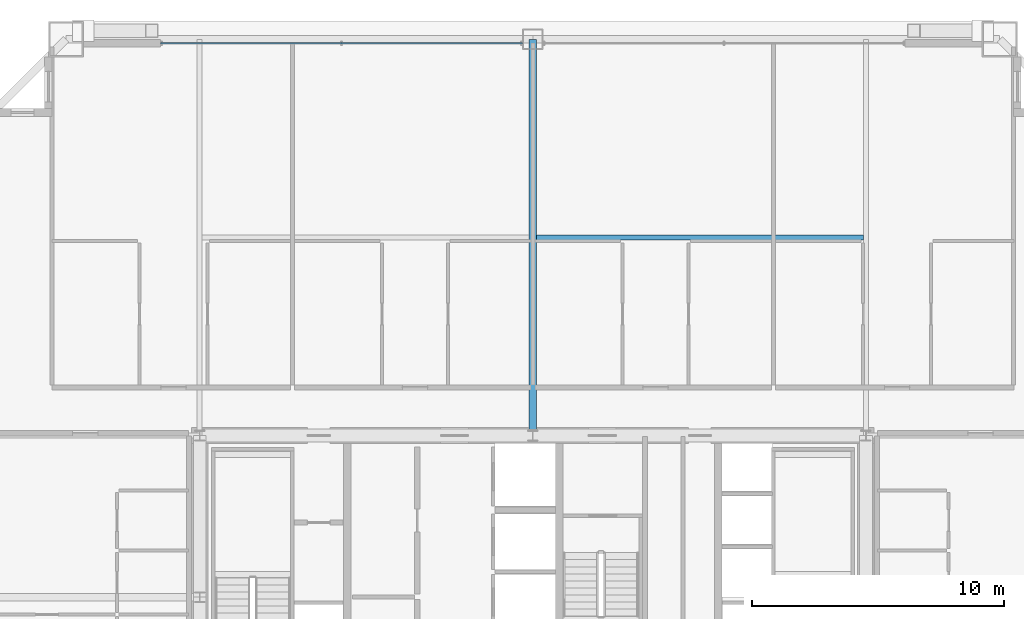
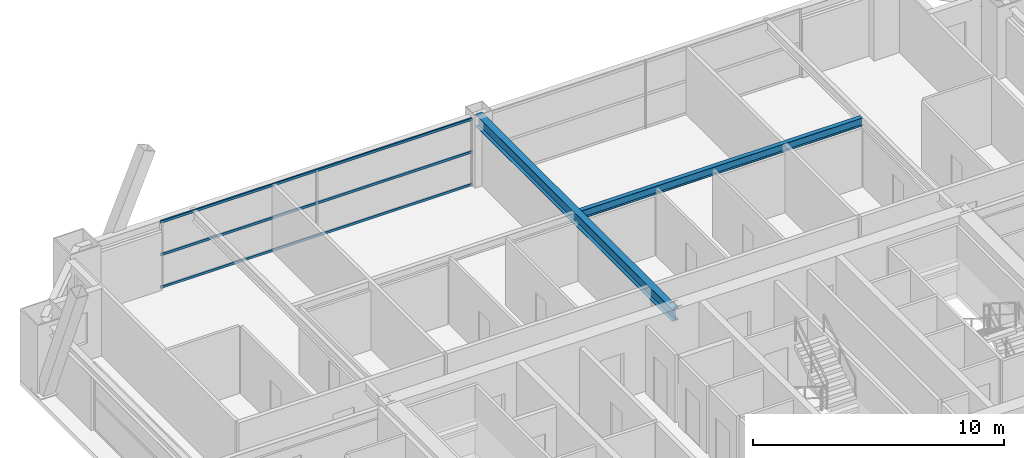
# One storey, part 32 of 42: 3 members, 2 beams, 1 element without a shape of its own.
"""IFC4 building model written with IfcOpenShell, lengths in metres."""

from ifc_helpers import new_model, si_unit, direction, frame, origin, origin_2d, place, context, subcontext, project, spatial, hollow_rectangle, i_section, extrude, source, transform, mapped, material, layer, layer_set, material_profile, profile_set, type_object, element, aggregate, save


model = new_model("IFC4")

# Units and contexts
model_context = context("Model", 3, precision=1e-05, world=origin(), true_north=direction((0.0, 1.0)))
body_context = subcontext(model_context, "Body", "Model", "MODEL_VIEW")
ifc_project = project(units=[si_unit("LENGTHUNIT", "METRE"), si_unit("AREAUNIT", "SQUARE_METRE"), si_unit("VOLUMEUNIT", "CUBIC_METRE"), si_unit("PLANEANGLEUNIT", "RADIAN"), si_unit("MASSUNIT", "GRAM", prefix="KILO"), si_unit("THERMODYNAMICTEMPERATUREUNIT", "KELVIN"), si_unit("POWERUNIT", "WATT")], contexts=[model_context])

# Site, building, storey
site_placement = place(None, origin())
site = spatial("IfcSite", under=ifc_project, at=site_placement, CompositionType="ELEMENT")
building_placement = place(site_placement, origin())
building = spatial("IfcBuilding", under=site, at=building_placement, Name="Yuzanri Waterfront Tower", CompositionType="ELEMENT")
storey_placement = place(building_placement, frame((0.0, 0.0, 184.5)))
storey = spatial("IfcBuildingStorey", under=building, at=storey_placement, Name="L48", CompositionType="ELEMENT", Elevation=184.5)

# Beams
ifc_material_1 = material(Name="Steel Q355B", Category="steel")
ifc_material_profile_1 = material_profile(ifc_material_1, i_section(OverallWidth=0.199951171875, OverallDepth=0.39990234375, WebThickness=0.008056640625, FlangeThickness=0.012939453125, at=origin_2d()), Name="HN 400x200x8x13")
ifc_profile_set_1 = profile_set([ifc_material_profile_1], Name="Steel Q355B")
beam_type_1 = type_object("IfcBeamType", Name="Floor Joist Q355B HN 400x200", PredefinedType="JOIST", material=ifc_profile_set_1)
shared_shape_1 = source(origin(), body_context, "Body", "SweptSolid", [
    extrude(i_section(OverallWidth=0.199951171875, OverallDepth=0.39990234375, WebThickness=0.008056640625, FlangeThickness=0.012939453125, at=origin_2d()), origin(), (0.0, 0.0, 1.0), 12.9501953125),
])
beam_1_placement = place(storey_placement, frame((37.14990234375, 40.050048828125, 3.080078125), z_axis=(1.0, 0.0, 0.0), x_axis=(0.0, 1.0, 0.0)))
element("IfcBeam", 1, at=beam_1_placement, inside=storey, type_object=beam_type_1, Name="L48 North Bay Joist E", PredefinedType="JOIST", context=body_context, shape_type="MappedRepresentation", body=[
    mapped(shared_shape_1, transform((0.0, 0.0, 0.0), scale=1.0)),
])
ifc_material_2 = material(Name="Steel Q355B", Category="steel")
ifc_material_profile_2 = material_profile(ifc_material_2, i_section(OverallWidth=0.300048828125, OverallDepth=0.587890625, WebThickness=0.011962890625, FlangeThickness=0.02001953125, at=origin_2d()), Name="HM 588x300x12x20")
ifc_profile_set_2 = profile_set([ifc_material_profile_2], Name="Steel Q355B")
beam_type_2 = type_object("IfcBeamType", Name="Primary Floor Girder Q355B HM 588x300", PredefinedType="BEAM", material=ifc_profile_set_2)
shared_shape_2 = source(origin(), body_context, "Body", "SweptSolid", [
    extrude(i_section(OverallWidth=0.300048828125, OverallDepth=0.587890625, WebThickness=0.011962890625, FlangeThickness=0.02001953125, at=origin_2d()), origin(), (0.0, 0.0, 1.0), 15.699951171875),
])
beam_2_placement = place(storey_placement, frame((37.0, 32.199951171875, 2.986083984375), z_axis=(0.0, 1.0, 0.0), x_axis=(-1.0, 0.0, 0.0)))
element("IfcBeam", 2, at=beam_2_placement, inside=storey, type_object=beam_type_2, Name="L48 North Grid Girder", PredefinedType="BEAM", context=body_context, shape_type="MappedRepresentation", body=[
    mapped(shared_shape_2, transform((0.0, 0.0, 0.0), scale=1.0)),
])

# Curtain wall, members
ifc_material_3 = material(Name="Anodized Architectural Bronze", Category="metal")
ifc_layer = layer(ifc_material_3, 0.159912109375)
ifc_layer_set = layer_set([ifc_layer], Name="Anodized Architectural Bronze")
curtain_wall_type = type_object("IfcCurtainWallType", Name="Anodized Bronze Mid-Rise Residential Acoustic Unitized Curtain Wall 7200", PredefinedType="NOTDEFINED", material=ifc_layer_set)
curtain_wall_placement = place(storey_placement, origin())
curtain_wall = element("IfcCurtainWall", 3, at=curtain_wall_placement, inside=storey, type_object=curtain_wall_type, Name="L48 Curtain Wall CW-L48-NL", PredefinedType="NOTDEFINED")
ifc_material_4 = material(Name="Anodized Architectural Bronze", Category="metal")
ifc_material_profile_3 = material_profile(ifc_material_4, hollow_rectangle(XDim=0.06494140625, YDim=0.1201171875, WallThickness=0.00341796875, at=origin_2d()), Name="CWT 65x120")
ifc_profile_set_3 = profile_set([ifc_material_profile_3], Name="Anodized Architectural Bronze")
member_type = type_object("IfcMemberType", Name="Anodized Bronze Secondary Curtain-Wall Transom 65x120", PredefinedType="USERDEFINED", material=ifc_profile_set_3)
shared_shape_3 = source(origin(), body_context, "Body", "SweptSolid", [
    extrude(hollow_rectangle(XDim=0.06494140625, YDim=0.1201171875, WallThickness=0.00341796875, at=origin_2d()), origin(), (0.0, 0.0, 1.0), 14.35009765625),
])
member_1_placement = place(storey_placement, frame((22.25, 47.75, 0.050048828125), z_axis=(1.0, 0.0, 0.0), x_axis=(0.0, 1.0, 0.0)))
member_1 = element("IfcMember", 4, at=member_1_placement, type_object=member_type, Name="CW-L48-NL Transom 1", ObjectType="TRANSOM", PredefinedType="USERDEFINED", context=body_context, shape_type="MappedRepresentation", body=[
    mapped(shared_shape_3, transform((0.0, 0.0, 0.0), scale=1.0)),
])
member_2_placement = place(storey_placement, frame((22.25, 47.75, 1.639892578125), z_axis=(1.0, 0.0, 0.0), x_axis=(0.0, 1.0, 0.0)))
member_2 = element("IfcMember", 5, at=member_2_placement, type_object=member_type, Name="CW-L48-NL Transom 2", ObjectType="TRANSOM", PredefinedType="USERDEFINED", context=body_context, shape_type="MappedRepresentation", body=[
    mapped(shared_shape_3, transform((0.0, 0.0, 0.0), scale=1.0)),
])
member_3_placement = place(storey_placement, frame((22.25, 47.75, 3.22998046875), z_axis=(1.0, 0.0, 0.0), x_axis=(0.0, 1.0, 0.0)))
member_3 = element("IfcMember", 6, at=member_3_placement, type_object=member_type, Name="CW-L48-NL Transom 3", ObjectType="TRANSOM", PredefinedType="USERDEFINED", context=body_context, shape_type="MappedRepresentation", body=[
    mapped(shared_shape_3, transform((0.0, 0.0, 0.0), scale=1.0)),
])
aggregate(curtain_wall, [member_1, member_2, member_3])

save(model, "model.ifc")
